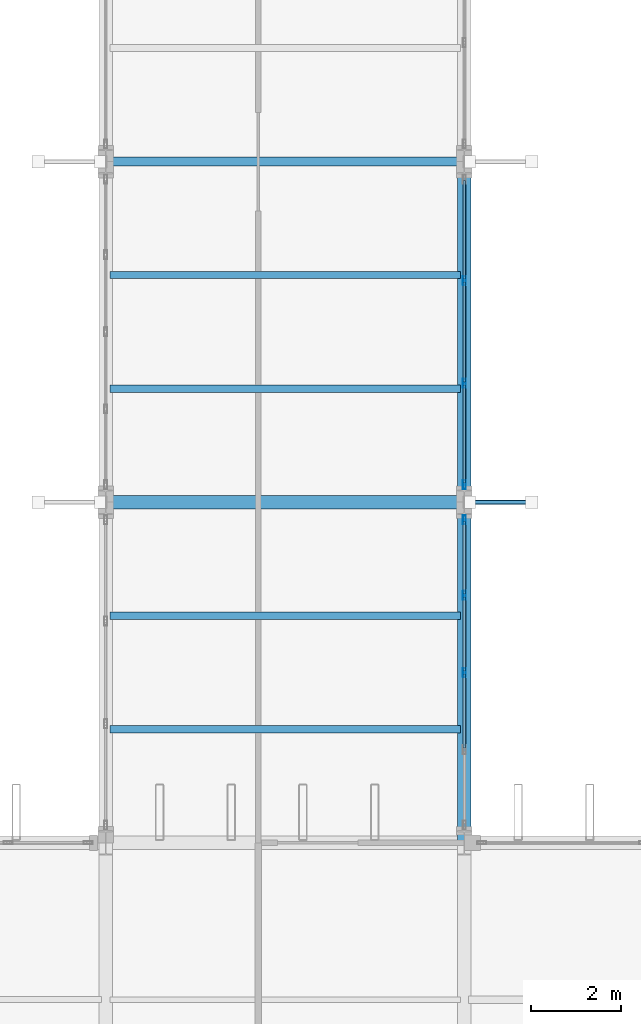
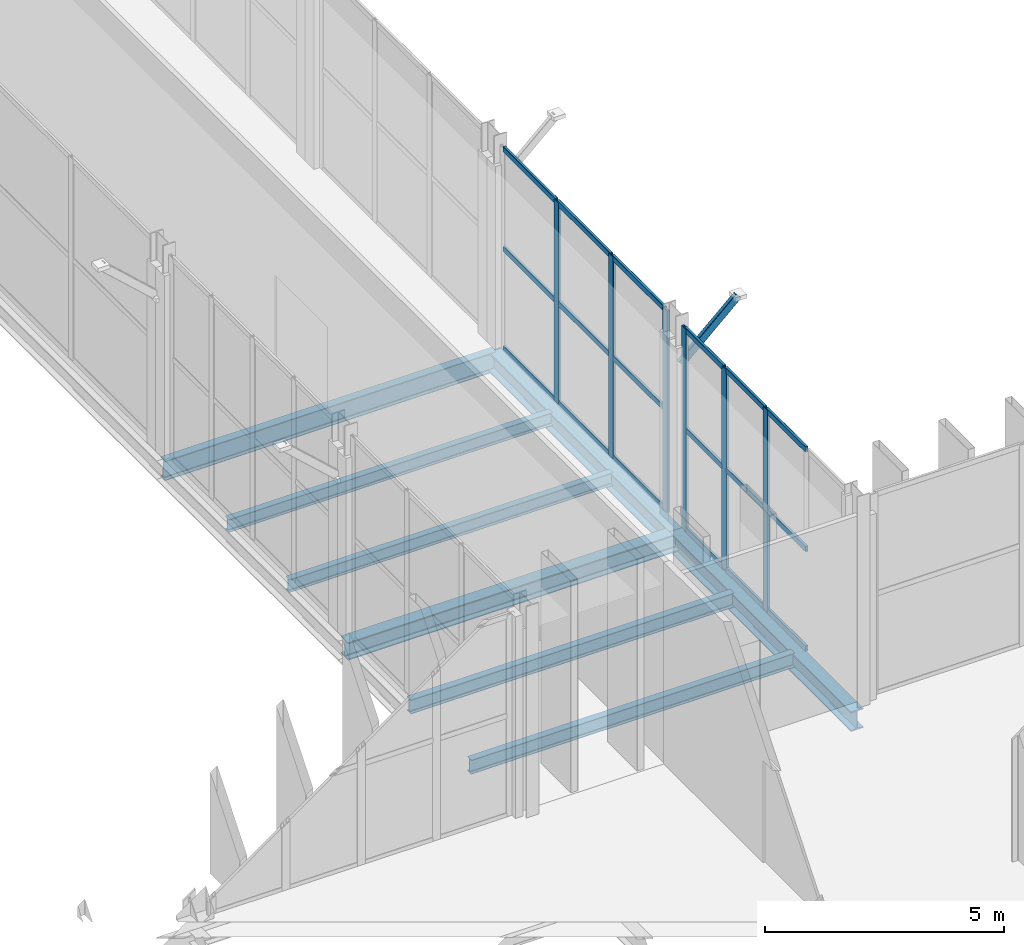
# One storey, part 71 of 147: 25 members, 8 beams, 2 elements without a shape of their own.
"""IFC4 building model written with IfcOpenShell, lengths in metres."""

from ifc_helpers import new_model, si_unit, direction, frame, origin, origin_2d, place, context, subcontext, project, spatial, hollow_rectangle, i_section, extrude, material, layer, layer_set, material_profile, profile_set, type_object, element, aggregate, save


model = new_model("IFC4")

# Units and contexts
model_context = context("Model", 3, precision=1e-05, world=origin(), true_north=direction((0.0, 1.0)))
body_context = subcontext(model_context, "Body", "Model", "MODEL_VIEW")
ifc_project = project(units=[si_unit("LENGTHUNIT", "METRE"), si_unit("AREAUNIT", "SQUARE_METRE"), si_unit("VOLUMEUNIT", "CUBIC_METRE"), si_unit("PLANEANGLEUNIT", "RADIAN"), si_unit("MASSUNIT", "GRAM", prefix="KILO")], contexts=[model_context])

# Site, building, storey
site_placement = place(None, origin())
site = spatial("IfcSite", under=ifc_project, at=site_placement, CompositionType="ELEMENT")
building_placement = place(site_placement, origin())
building = spatial("IfcBuilding", under=site, at=building_placement, Name="Vekula Escarpment Museum", CompositionType="ELEMENT")
storey_placement = place(building_placement, frame((0.0, 0.0, 7.800048828125)))
storey = spatial("IfcBuildingStorey", under=building, at=storey_placement, Name="L02", CompositionType="ELEMENT", Elevation=7.800048828125)

# Beams
ifc_material_1 = material(Name="Steel S355", Category="steel")
ifc_material_profile_1 = material_profile(ifc_material_1, i_section(OverallWidth=0.300048828125, OverallDepth=0.449951171875, WebThickness=0.013916015625, FlangeThickness=0.02587890625, FilletRadius=0.027099609375, at=origin_2d()), Name="HEB 450")
ifc_profile_set_1 = profile_set([ifc_material_profile_1], Name="Steel S355")
beam_type_1 = type_object("IfcBeamType", Name="BM-GIRD-HEB450", PredefinedType="BEAM", material=ifc_profile_set_1)
beam_1_placement = place(storey_placement, frame((94.0, 98.0, -0.485107421875), z_axis=(1.0, 0.0, 0.0), x_axis=(0.0, 1.0, 0.0)))
element("IfcBeam", 1, at=beam_1_placement, inside=storey, type_object=beam_type_1, Name="Beam X L02 0960", PredefinedType="BEAM", context=body_context, shape_type="SweptSolid", body=[
    extrude(i_section(OverallWidth=0.300048828125, OverallDepth=0.449951171875, WebThickness=0.013916015625, FlangeThickness=0.02587890625, FilletRadius=0.027099609375, at=origin_2d()), origin(), (0.0, 0.0, 1.0), 8.0),
])
ifc_material_2 = material(Name="Steel S355", Category="steel")
ifc_material_profile_2 = material_profile(ifc_material_2, i_section(OverallWidth=0.300048828125, OverallDepth=0.5, WebThickness=0.014404296875, FlangeThickness=0.028076171875, FilletRadius=0.027099609375, at=origin_2d()), Name="HEB 500")
ifc_profile_set_2 = profile_set([ifc_material_profile_2], Name="Steel S355")
beam_type_2 = type_object("IfcBeamType", Name="BM-GIRD-HEB500", PredefinedType="BEAM", material=ifc_profile_set_2)
for number, where, z_axis, x_axis, name in (
    (2, (102.0, 90.39990234375, -0.510009765625), (0.0, 1.0, 0.0), (-1.0, 0.0, 0.0), "Beam Y L02 1178"),
    (3, (102.0, 98.0, -0.510009765625), (0.0, 1.0, 0.0), (-1.0, 0.0, 0.0), "Beam Y L02 1179"),
):
    element("IfcBeam", number, at=place(storey_placement, frame(where, z_axis=z_axis, x_axis=x_axis)), inside=storey, type_object=beam_type_2, Name=name, PredefinedType="BEAM", context=body_context, shape_type="SweptSolid", body=[
        extrude(i_section(OverallWidth=0.300048828125, OverallDepth=0.5, WebThickness=0.014404296875, FlangeThickness=0.028076171875, FilletRadius=0.027099609375, at=origin_2d()), origin(), (0.0, 0.0, 1.0), 7.60009765625),
    ])
ifc_material_3 = material(Name="Steel S355", Category="steel")
ifc_material_profile_3 = material_profile(ifc_material_3, i_section(OverallWidth=0.199951171875, OverallDepth=0.5, WebThickness=0.01025390625, FlangeThickness=0.01611328125, FilletRadius=0.02099609375, at=origin_2d()), Name="IPE 500")
ifc_profile_set_3 = profile_set([ifc_material_profile_3], Name="Steel S355")
beam_type_3 = type_object("IfcBeamType", Name="BM-GIRD-IPE500", PredefinedType="BEAM", material=ifc_profile_set_3)
beam_2_placement = place(storey_placement, frame((94.0, 105.60009765625, -0.510009765625), z_axis=(1.0, 0.0, 0.0), x_axis=(0.0, 1.0, 0.0)))
element("IfcBeam", 4, at=beam_2_placement, inside=storey, type_object=beam_type_3, Name="Beam X L02 0964", PredefinedType="BEAM", context=body_context, shape_type="SweptSolid", body=[
    extrude(i_section(OverallWidth=0.199951171875, OverallDepth=0.5, WebThickness=0.01025390625, FlangeThickness=0.01611328125, FilletRadius=0.02099609375, at=origin_2d()), origin(), (0.0, 0.0, 1.0), 8.0),
])
ifc_material_4 = material(Name="Steel S355", Category="steel")
ifc_material_profile_4 = material_profile(ifc_material_4, i_section(OverallWidth=0.159912109375, OverallDepth=0.330078125, WebThickness=0.007568359375, FlangeThickness=0.011474609375, FilletRadius=0.01806640625, at=origin_2d()), Name="IPE 330")
ifc_profile_set_4 = profile_set([ifc_material_profile_4], Name="Steel S355")
beam_type_4 = type_object("IfcBeamType", Name="BM-JST-IPE330", PredefinedType="JOIST", material=ifc_profile_set_4)
for number, where, z_axis, x_axis, name in (
    (5, (94.090087890625, 100.533203125, -0.425048828125), (1.0, 0.0, 0.0), (0.0, 1.0, 0.0), "Secondary Joist L02 0782"),
    (6, (94.090087890625, 103.066650390625, -0.425048828125), (1.0, 0.0, 0.0), (0.0, 1.0, 0.0), "Secondary Joist L02 0783"),
):
    element("IfcBeam", number, at=place(storey_placement, frame(where, z_axis=z_axis, x_axis=x_axis)), inside=storey, type_object=beam_type_4, Name=name, PredefinedType="JOIST", context=body_context, shape_type="SweptSolid", body=[
        extrude(i_section(OverallWidth=0.159912109375, OverallDepth=0.330078125, WebThickness=0.007568359375, FlangeThickness=0.011474609375, FilletRadius=0.01806640625, at=origin_2d()), origin(), (0.0, 0.0, 1.0), 7.81982421875),
    ])
ifc_material_5 = material(Name="Steel S355", Category="steel")
ifc_material_profile_5 = material_profile(ifc_material_5, i_section(OverallWidth=0.169921875, OverallDepth=0.360107421875, WebThickness=0.008056640625, FlangeThickness=0.0126953125, FilletRadius=0.01806640625, at=origin_2d()), Name="IPE 360")
ifc_profile_set_5 = profile_set([ifc_material_profile_5], Name="Steel S355")
beam_type_5 = type_object("IfcBeamType", Name="BM-JST-IPE360", PredefinedType="JOIST", material=ifc_profile_set_5)
for number, where, z_axis, x_axis, name in (
    (7, (94.090087890625, 92.933349609375, -0.43994140625), (1.0, 0.0, 0.0), (0.0, 1.0, 0.0), "Secondary Joist L02 0780"),
    (8, (94.090087890625, 95.466796875, -0.43994140625), (1.0, 0.0, 0.0), (0.0, 1.0, 0.0), "Secondary Joist L02 0781"),
):
    element("IfcBeam", number, at=place(storey_placement, frame(where, z_axis=z_axis, x_axis=x_axis)), inside=storey, type_object=beam_type_5, Name=name, PredefinedType="JOIST", context=body_context, shape_type="SweptSolid", body=[
        extrude(i_section(OverallWidth=0.169921875, OverallDepth=0.360107421875, WebThickness=0.008056640625, FlangeThickness=0.0126953125, FilletRadius=0.01806640625, at=origin_2d()), origin(), (0.0, 0.0, 1.0), 7.81982421875),
    ])

# Curtain wall, members
ifc_material_6 = material(Name="Aluminium thermally broken framing", Category="aluminium")
ifc_layer_1 = layer(ifc_material_6, 0.14990234375)
ifc_layer_set_1 = layer_set([ifc_layer_1], Name="Aluminium thermally broken framing")
curtain_wall_type_1 = type_object("IfcCurtainWallType", Name="CW-SYS-09", PredefinedType="NOTDEFINED", material=ifc_layer_set_1)
curtain_wall_1_placement = place(storey_placement, origin())
curtain_wall_1 = element("IfcCurtainWall", 9, at=curtain_wall_1_placement, inside=storey, type_object=curtain_wall_type_1, Name="Curtain Wall CW-L02-079", PredefinedType="NOTDEFINED")
ifc_material_7 = material(Name="Aluminium anodized mullion", Category="aluminium")
ifc_material_profile_6 = material_profile(ifc_material_7, hollow_rectangle(XDim=0.06494140625, YDim=0.199951171875, WallThickness=0.00390625, InnerFilletRadius=0.00390625, OuterFilletRadius=0.008056640625, at=origin_2d()), Name="ALU 200x65x4")
ifc_profile_set_6 = profile_set([ifc_material_profile_6], Name="Aluminium anodized mullion")
member_type_1 = type_object("IfcMemberType", Name="CW-MUL-200", PredefinedType="MULLION", material=ifc_profile_set_6)
member_1_placement = place(storey_placement, frame((102.0, 94.199951171875, 0.0), z_axis=(0.0, 0.0, 1.0), x_axis=(-1.0, 0.0, 0.0)))
member_1 = element("IfcMember", 10, at=member_1_placement, type_object=member_type_1, Name="CW-09 mullion 3", PredefinedType="MULLION", context=body_context, shape_type="SweptSolid", body=[
    extrude(hollow_rectangle(XDim=0.06494140625, YDim=0.199951171875, WallThickness=0.00390625, InnerFilletRadius=0.00390625, OuterFilletRadius=0.008056640625, at=origin_2d()), origin(), (0.0, 0.0, 1.0), 5.14990234375),
])
member_2_placement = place(storey_placement, frame((102.0, 95.919921875, 0.0), z_axis=(0.0, 0.0, 1.0), x_axis=(-1.0, 0.0, 0.0)))
member_2 = element("IfcMember", 11, at=member_2_placement, type_object=member_type_1, Name="CW-09 mullion 4", PredefinedType="MULLION", context=body_context, shape_type="SweptSolid", body=[
    extrude(hollow_rectangle(XDim=0.06494140625, YDim=0.199951171875, WallThickness=0.00390625, InnerFilletRadius=0.00390625, OuterFilletRadius=0.008056640625, at=origin_2d()), origin(), (0.0, 0.0, 1.0), 5.14990234375),
])
member_3_placement = place(storey_placement, frame((102.0, 97.607421875, 0.0), z_axis=(0.0, 0.0, 1.0), x_axis=(-1.0, 0.0, 0.0)))
member_3 = element("IfcMember", 12, at=member_3_placement, type_object=member_type_1, Name="CW-09 mullion 5", PredefinedType="MULLION", context=body_context, shape_type="SweptSolid", body=[
    extrude(hollow_rectangle(XDim=0.06494140625, YDim=0.199951171875, WallThickness=0.00390625, InnerFilletRadius=0.00390625, OuterFilletRadius=0.008056640625, at=origin_2d()), origin(), (0.0, 0.0, 1.0), 5.14990234375),
])

ifc_material_8 = material(Name="Aluminium thermally broken framing", Category="aluminium")
ifc_layer_2 = layer(ifc_material_8, 0.169921875)
ifc_layer_set_2 = layer_set([ifc_layer_2], Name="Aluminium thermally broken framing")
curtain_wall_type_2 = type_object("IfcCurtainWallType", Name="CW-SYS-10", PredefinedType="NOTDEFINED", material=ifc_layer_set_2)
curtain_wall_2_placement = place(storey_placement, origin())
curtain_wall_2 = element("IfcCurtainWall", 13, at=curtain_wall_2_placement, inside=storey, type_object=curtain_wall_type_2, Name="Curtain Wall CW-L02-080", PredefinedType="NOTDEFINED")
member_4_placement = place(storey_placement, frame((102.0, 98.392578125, 0.0), z_axis=(0.0, 0.0, 1.0), x_axis=(-1.0, 0.0, 0.0)))
member_4 = element("IfcMember", 14, at=member_4_placement, type_object=member_type_1, Name="CW-10 mullion 1", PredefinedType="MULLION", context=body_context, shape_type="SweptSolid", body=[
    extrude(hollow_rectangle(XDim=0.06494140625, YDim=0.199951171875, WallThickness=0.00390625, InnerFilletRadius=0.00390625, OuterFilletRadius=0.008056640625, at=origin_2d()), origin(), (0.0, 0.0, 1.0), 5.14990234375),
])
member_5_placement = place(storey_placement, frame((102.0, 100.6533203125, 0.0), z_axis=(0.0, 0.0, 1.0), x_axis=(-1.0, 0.0, 0.0)))
member_5 = element("IfcMember", 15, at=member_5_placement, type_object=member_type_1, Name="CW-10 mullion 2", PredefinedType="MULLION", context=body_context, shape_type="SweptSolid", body=[
    extrude(hollow_rectangle(XDim=0.06494140625, YDim=0.199951171875, WallThickness=0.00390625, InnerFilletRadius=0.00390625, OuterFilletRadius=0.008056640625, at=origin_2d()), origin(), (0.0, 0.0, 1.0), 5.14990234375),
])
member_6_placement = place(storey_placement, frame((102.0, 102.94677734375, 0.0), z_axis=(0.0, 0.0, 1.0), x_axis=(-1.0, 0.0, 0.0)))
member_6 = element("IfcMember", 16, at=member_6_placement, type_object=member_type_1, Name="CW-10 mullion 3", PredefinedType="MULLION", context=body_context, shape_type="SweptSolid", body=[
    extrude(hollow_rectangle(XDim=0.06494140625, YDim=0.199951171875, WallThickness=0.00390625, InnerFilletRadius=0.00390625, OuterFilletRadius=0.008056640625, at=origin_2d()), origin(), (0.0, 0.0, 1.0), 5.14990234375),
])

# Member
ifc_material_9 = material(Name="Aluminium anodized transom", Category="aluminium")
ifc_material_profile_7 = material_profile(ifc_material_9, hollow_rectangle(XDim=0.06494140625, YDim=0.139892578125, WallThickness=0.00390625, InnerFilletRadius=0.00390625, OuterFilletRadius=0.008056640625, at=origin_2d()), Name="ALU 140x65x4")
ifc_profile_set_7 = profile_set([ifc_material_profile_7], Name="Aluminium anodized transom")
member_type_2 = type_object("IfcMemberType", Name="CW-TRN-140", PredefinedType="USERDEFINED", material=ifc_profile_set_7)
member_7_placement = place(storey_placement, frame((102.0, 92.512451171875, 0.032470703125), z_axis=(0.0, 1.0, 0.0), x_axis=(-1.0, 0.0, 0.0)))
member_7 = element("IfcMember", 17, at=member_7_placement, type_object=member_type_2, Name="CW-09 transom 2.1", ObjectType="TRANSOM", PredefinedType="USERDEFINED", context=body_context, shape_type="SweptSolid", body=[
    extrude(hollow_rectangle(XDim=0.06494140625, YDim=0.139892578125, WallThickness=0.00390625, InnerFilletRadius=0.00390625, OuterFilletRadius=0.008056640625, at=origin_2d()), origin(), (0.0, 0.0, 1.0), 1.655029296875),
])

member_8_placement = place(storey_placement, frame((102.0, 92.512451171875, 2.574951171875), z_axis=(0.0, 1.0, 0.0), x_axis=(-1.0, 0.0, 0.0)))
member_8 = element("IfcMember", 18, at=member_8_placement, type_object=member_type_2, Name="CW-09 transom 2.2", ObjectType="TRANSOM", PredefinedType="USERDEFINED", context=body_context, shape_type="SweptSolid", body=[
    extrude(hollow_rectangle(XDim=0.06494140625, YDim=0.139892578125, WallThickness=0.00390625, InnerFilletRadius=0.00390625, OuterFilletRadius=0.008056640625, at=origin_2d()), origin(), (0.0, 0.0, 1.0), 1.655029296875),
])

member_9_placement = place(storey_placement, frame((102.0, 92.512451171875, 5.117431640625), z_axis=(0.0, 1.0, 0.0), x_axis=(-1.0, 0.0, 0.0)))
member_9 = element("IfcMember", 19, at=member_9_placement, type_object=member_type_2, Name="CW-09 transom 2.3", ObjectType="TRANSOM", PredefinedType="USERDEFINED", context=body_context, shape_type="SweptSolid", body=[
    extrude(hollow_rectangle(XDim=0.06494140625, YDim=0.139892578125, WallThickness=0.00390625, InnerFilletRadius=0.00390625, OuterFilletRadius=0.008056640625, at=origin_2d()), origin(), (0.0, 0.0, 1.0), 1.655029296875),
])

member_10_placement = place(storey_placement, frame((102.0, 94.232421875, 0.032470703125), z_axis=(0.0, 1.0, 0.0), x_axis=(-1.0, 0.0, 0.0)))
member_10 = element("IfcMember", 20, at=member_10_placement, type_object=member_type_2, Name="CW-09 transom 3.1", ObjectType="TRANSOM", PredefinedType="USERDEFINED", context=body_context, shape_type="SweptSolid", body=[
    extrude(hollow_rectangle(XDim=0.06494140625, YDim=0.139892578125, WallThickness=0.00390625, InnerFilletRadius=0.00390625, OuterFilletRadius=0.008056640625, at=origin_2d()), origin(), (0.0, 0.0, 1.0), 1.655029296875),
])

member_11_placement = place(storey_placement, frame((102.0, 94.232421875, 2.574951171875), z_axis=(0.0, 1.0, 0.0), x_axis=(-1.0, 0.0, 0.0)))
member_11 = element("IfcMember", 21, at=member_11_placement, type_object=member_type_2, Name="CW-09 transom 3.2", ObjectType="TRANSOM", PredefinedType="USERDEFINED", context=body_context, shape_type="SweptSolid", body=[
    extrude(hollow_rectangle(XDim=0.06494140625, YDim=0.139892578125, WallThickness=0.00390625, InnerFilletRadius=0.00390625, OuterFilletRadius=0.008056640625, at=origin_2d()), origin(), (0.0, 0.0, 1.0), 1.655029296875),
])

member_12_placement = place(storey_placement, frame((102.0, 94.232421875, 5.117431640625), z_axis=(0.0, 1.0, 0.0), x_axis=(-1.0, 0.0, 0.0)))
member_12 = element("IfcMember", 22, at=member_12_placement, type_object=member_type_2, Name="CW-09 transom 3.3", ObjectType="TRANSOM", PredefinedType="USERDEFINED", context=body_context, shape_type="SweptSolid", body=[
    extrude(hollow_rectangle(XDim=0.06494140625, YDim=0.139892578125, WallThickness=0.00390625, InnerFilletRadius=0.00390625, OuterFilletRadius=0.008056640625, at=origin_2d()), origin(), (0.0, 0.0, 1.0), 1.655029296875),
])

member_13_placement = place(storey_placement, frame((102.0, 95.952392578125, 0.032470703125), z_axis=(0.0, 1.0, 0.0), x_axis=(-1.0, 0.0, 0.0)))
member_13 = element("IfcMember", 23, at=member_13_placement, type_object=member_type_2, Name="CW-09 transom 4.1", ObjectType="TRANSOM", PredefinedType="USERDEFINED", context=body_context, shape_type="SweptSolid", body=[
    extrude(hollow_rectangle(XDim=0.06494140625, YDim=0.139892578125, WallThickness=0.00390625, InnerFilletRadius=0.00390625, OuterFilletRadius=0.008056640625, at=origin_2d()), origin(), (0.0, 0.0, 1.0), 1.62255859375),
])

member_14_placement = place(storey_placement, frame((102.0, 95.952392578125, 2.574951171875), z_axis=(0.0, 1.0, 0.0), x_axis=(-1.0, 0.0, 0.0)))
member_14 = element("IfcMember", 24, at=member_14_placement, type_object=member_type_2, Name="CW-09 transom 4.2", ObjectType="TRANSOM", PredefinedType="USERDEFINED", context=body_context, shape_type="SweptSolid", body=[
    extrude(hollow_rectangle(XDim=0.06494140625, YDim=0.139892578125, WallThickness=0.00390625, InnerFilletRadius=0.00390625, OuterFilletRadius=0.008056640625, at=origin_2d()), origin(), (0.0, 0.0, 1.0), 1.62255859375),
])

member_15_placement = place(storey_placement, frame((102.0, 95.952392578125, 5.117431640625), z_axis=(0.0, 1.0, 0.0), x_axis=(-1.0, 0.0, 0.0)))
member_15 = element("IfcMember", 25, at=member_15_placement, type_object=member_type_2, Name="CW-09 transom 4.3", ObjectType="TRANSOM", PredefinedType="USERDEFINED", context=body_context, shape_type="SweptSolid", body=[
    extrude(hollow_rectangle(XDim=0.06494140625, YDim=0.139892578125, WallThickness=0.00390625, InnerFilletRadius=0.00390625, OuterFilletRadius=0.008056640625, at=origin_2d()), origin(), (0.0, 0.0, 1.0), 1.62255859375),
])

aggregate(curtain_wall_1, [member_1, member_2, member_3, member_7, member_8, member_9, member_10, member_11, member_12, member_13, member_14, member_15])

member_16_placement = place(storey_placement, frame((102.0, 98.425048828125, 0.032470703125), z_axis=(0.0, 1.0, 0.0), x_axis=(-1.0, 0.0, 0.0)))
member_16 = element("IfcMember", 26, at=member_16_placement, type_object=member_type_2, Name="CW-10 transom 1.1", ObjectType="TRANSOM", PredefinedType="USERDEFINED", context=body_context, shape_type="SweptSolid", body=[
    extrude(hollow_rectangle(XDim=0.06494140625, YDim=0.139892578125, WallThickness=0.00390625, InnerFilletRadius=0.00390625, OuterFilletRadius=0.008056640625, at=origin_2d()), origin(), (0.0, 0.0, 1.0), 2.19580078125),
])

member_17_placement = place(storey_placement, frame((102.0, 98.425048828125, 2.574951171875), z_axis=(0.0, 1.0, 0.0), x_axis=(-1.0, 0.0, 0.0)))
member_17 = element("IfcMember", 27, at=member_17_placement, type_object=member_type_2, Name="CW-10 transom 1.2", ObjectType="TRANSOM", PredefinedType="USERDEFINED", context=body_context, shape_type="SweptSolid", body=[
    extrude(hollow_rectangle(XDim=0.06494140625, YDim=0.139892578125, WallThickness=0.00390625, InnerFilletRadius=0.00390625, OuterFilletRadius=0.008056640625, at=origin_2d()), origin(), (0.0, 0.0, 1.0), 2.19580078125),
])

member_18_placement = place(storey_placement, frame((102.0, 98.425048828125, 5.117431640625), z_axis=(0.0, 1.0, 0.0), x_axis=(-1.0, 0.0, 0.0)))
member_18 = element("IfcMember", 28, at=member_18_placement, type_object=member_type_2, Name="CW-10 transom 1.3", ObjectType="TRANSOM", PredefinedType="USERDEFINED", context=body_context, shape_type="SweptSolid", body=[
    extrude(hollow_rectangle(XDim=0.06494140625, YDim=0.139892578125, WallThickness=0.00390625, InnerFilletRadius=0.00390625, OuterFilletRadius=0.008056640625, at=origin_2d()), origin(), (0.0, 0.0, 1.0), 2.19580078125),
])

member_19_placement = place(storey_placement, frame((102.0, 100.685791015625, 0.032470703125), z_axis=(0.0, 1.0, 0.0), x_axis=(-1.0, 0.0, 0.0)))
member_19 = element("IfcMember", 29, at=member_19_placement, type_object=member_type_2, Name="CW-10 transom 2.1", ObjectType="TRANSOM", PredefinedType="USERDEFINED", context=body_context, shape_type="SweptSolid", body=[
    extrude(hollow_rectangle(XDim=0.06494140625, YDim=0.139892578125, WallThickness=0.00390625, InnerFilletRadius=0.00390625, OuterFilletRadius=0.008056640625, at=origin_2d()), origin(), (0.0, 0.0, 1.0), 2.228271484375),
])

member_20_placement = place(storey_placement, frame((102.0, 100.685791015625, 2.574951171875), z_axis=(0.0, 1.0, 0.0), x_axis=(-1.0, 0.0, 0.0)))
member_20 = element("IfcMember", 30, at=member_20_placement, type_object=member_type_2, Name="CW-10 transom 2.2", ObjectType="TRANSOM", PredefinedType="USERDEFINED", context=body_context, shape_type="SweptSolid", body=[
    extrude(hollow_rectangle(XDim=0.06494140625, YDim=0.139892578125, WallThickness=0.00390625, InnerFilletRadius=0.00390625, OuterFilletRadius=0.008056640625, at=origin_2d()), origin(), (0.0, 0.0, 1.0), 2.228271484375),
])

member_21_placement = place(storey_placement, frame((102.0, 100.685791015625, 5.117431640625), z_axis=(0.0, 1.0, 0.0), x_axis=(-1.0, 0.0, 0.0)))
member_21 = element("IfcMember", 31, at=member_21_placement, type_object=member_type_2, Name="CW-10 transom 2.3", ObjectType="TRANSOM", PredefinedType="USERDEFINED", context=body_context, shape_type="SweptSolid", body=[
    extrude(hollow_rectangle(XDim=0.06494140625, YDim=0.139892578125, WallThickness=0.00390625, InnerFilletRadius=0.00390625, OuterFilletRadius=0.008056640625, at=origin_2d()), origin(), (0.0, 0.0, 1.0), 2.228271484375),
])

member_22_placement = place(storey_placement, frame((102.0, 102.979248046875, 0.032470703125), z_axis=(0.0, 1.0, 0.0), x_axis=(-1.0, 0.0, 0.0)))
member_22 = element("IfcMember", 32, at=member_22_placement, type_object=member_type_2, Name="CW-10 transom 3.1", ObjectType="TRANSOM", PredefinedType="USERDEFINED", context=body_context, shape_type="SweptSolid", body=[
    extrude(hollow_rectangle(XDim=0.06494140625, YDim=0.139892578125, WallThickness=0.00390625, InnerFilletRadius=0.00390625, OuterFilletRadius=0.008056640625, at=origin_2d()), origin(), (0.0, 0.0, 1.0), 2.19580078125),
])

member_23_placement = place(storey_placement, frame((102.0, 102.979248046875, 2.574951171875), z_axis=(0.0, 1.0, 0.0), x_axis=(-1.0, 0.0, 0.0)))
member_23 = element("IfcMember", 33, at=member_23_placement, type_object=member_type_2, Name="CW-10 transom 3.2", ObjectType="TRANSOM", PredefinedType="USERDEFINED", context=body_context, shape_type="SweptSolid", body=[
    extrude(hollow_rectangle(XDim=0.06494140625, YDim=0.139892578125, WallThickness=0.00390625, InnerFilletRadius=0.00390625, OuterFilletRadius=0.008056640625, at=origin_2d()), origin(), (0.0, 0.0, 1.0), 2.19580078125),
])

member_24_placement = place(storey_placement, frame((102.0, 102.979248046875, 5.117431640625), z_axis=(0.0, 1.0, 0.0), x_axis=(-1.0, 0.0, 0.0)))
member_24 = element("IfcMember", 34, at=member_24_placement, type_object=member_type_2, Name="CW-10 transom 3.3", ObjectType="TRANSOM", PredefinedType="USERDEFINED", context=body_context, shape_type="SweptSolid", body=[
    extrude(hollow_rectangle(XDim=0.06494140625, YDim=0.139892578125, WallThickness=0.00390625, InnerFilletRadius=0.00390625, OuterFilletRadius=0.008056640625, at=origin_2d()), origin(), (0.0, 0.0, 1.0), 2.19580078125),
])

aggregate(curtain_wall_2, [member_4, member_5, member_6, member_16, member_17, member_18, member_19, member_20, member_21, member_22, member_23, member_24])

ifc_material_10 = material(Name="Steel S355", Category="steel")
ifc_material_profile_8 = material_profile(ifc_material_10, hollow_rectangle(XDim=0.10009765625, YDim=0.199951171875, WallThickness=0.008056640625, InnerFilletRadius=0.008056640625, OuterFilletRadius=0.01611328125, at=origin_2d()), Name="RHS 200x100x8")
ifc_profile_set_8 = profile_set([ifc_material_profile_8], Name="Steel S355")
member_type_3 = type_object("IfcMemberType", Name="MB-SACAK-BRK", PredefinedType="STRUT", material=ifc_profile_set_8)
member_25_placement = place(storey_placement, frame((102.1201171875, 98.0, 3.949951171875), z_axis=(0.738454378718, 0.0, 0.674303441006), x_axis=(0.0, 1.0, 0.0)))
element("IfcMember", 35, at=member_25_placement, inside=storey, type_object=member_type_3, Name="Ottoman Sacak Eave Bracket L03-0066", PredefinedType="STRUT", context=body_context, shape_type="SweptSolid", body=[
    extrude(hollow_rectangle(XDim=0.10009765625, YDim=0.199951171875, WallThickness=0.008056640625, InnerFilletRadius=0.008056640625, OuterFilletRadius=0.01611328125, at=origin_2d()), origin(), (0.0, 0.0, 1.0), 1.86865234375),
])

save(model, "model.ifc")
